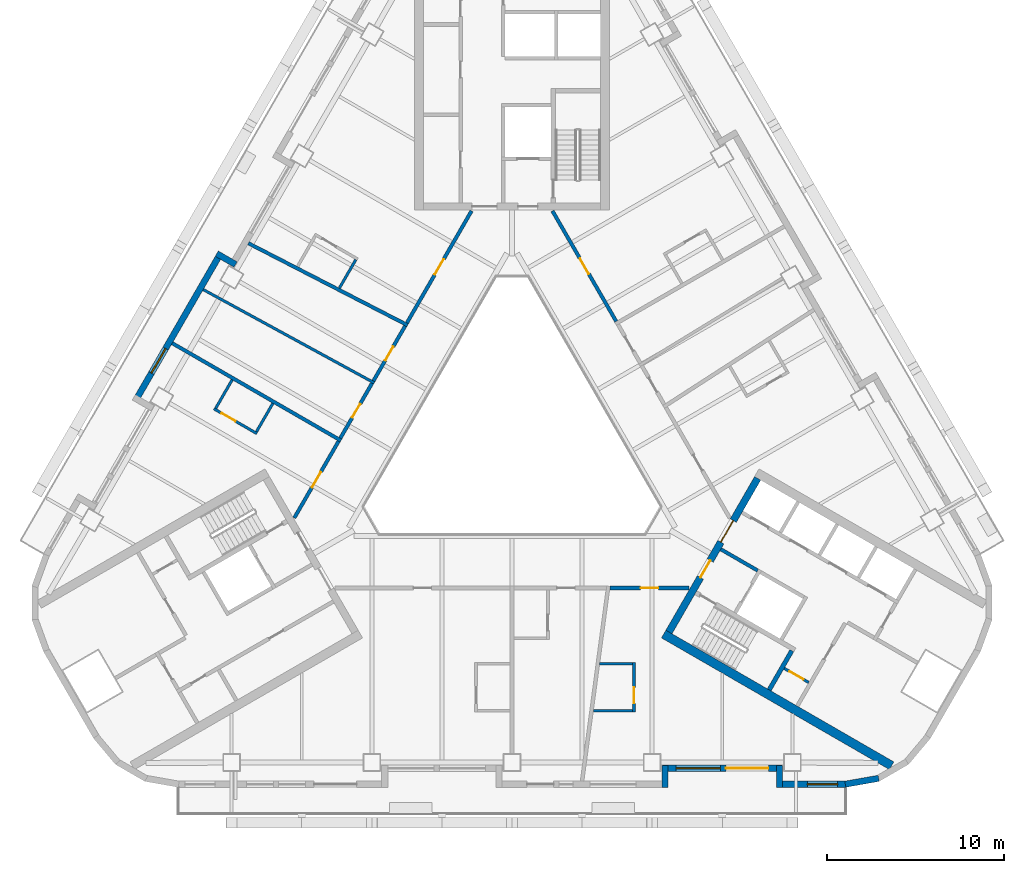
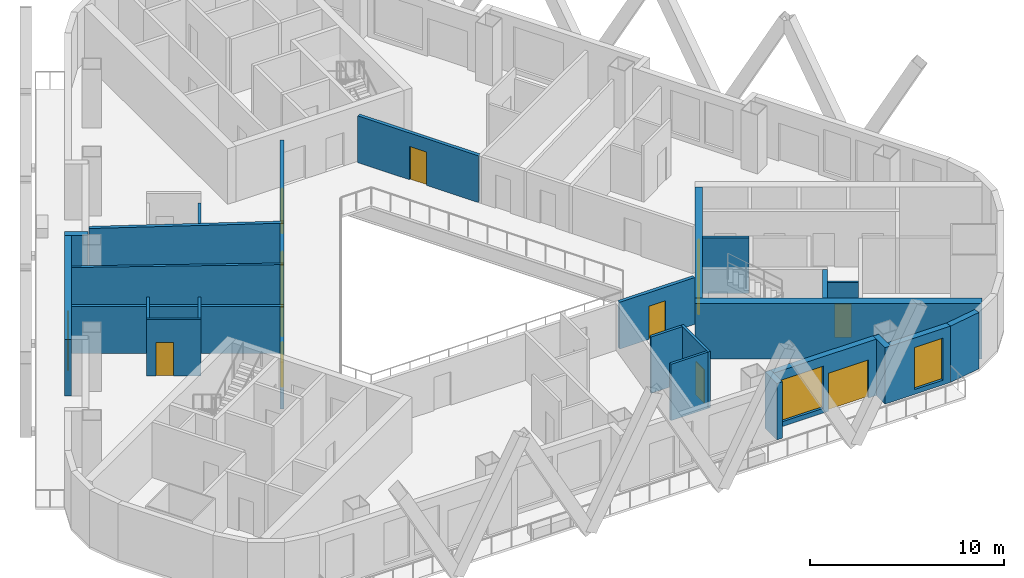
# One storey, part 4 of 13: 28 walls, 12 doors, 3 windows, 15 openings.
"""IFC4 building model written with IfcOpenShell, lengths in metres."""

from ifc_helpers import new_model, si_unit, direction, frame, frame_2d, origin, place, context, subcontext, project, spatial, rectangle, extrude, material, layer, layer_set, type_object, element, fill, save


model = new_model("IFC4")

# Units and contexts
model_context = context("Model", 3, precision=1e-05, world=origin(), true_north=direction((0.0, 1.0)))
body_context = subcontext(model_context, "Body", "Model", "MODEL_VIEW")
ifc_project = project(units=[si_unit("LENGTHUNIT", "METRE"), si_unit("AREAUNIT", "SQUARE_METRE"), si_unit("VOLUMEUNIT", "CUBIC_METRE"), si_unit("PLANEANGLEUNIT", "RADIAN"), si_unit("MASSUNIT", "GRAM", prefix="KILO")], contexts=[model_context])

# Site, building, storey
site_placement = place(None, origin())
site = spatial("IfcSite", under=ifc_project, at=site_placement, CompositionType="ELEMENT")
building_placement = place(site_placement, origin())
building = spatial("IfcBuilding", under=site, at=building_placement, Name="Apuvela Tower Hotel", CompositionType="ELEMENT")
storey_placement = place(building_placement, frame((0.0, 0.0, 68.699951171875)))
storey = spatial("IfcBuildingStorey", under=building, at=storey_placement, Name="L14", CompositionType="ELEMENT", Elevation=68.699951171875)

# Wall, openings, doors
ifc_material_1 = material(Name="Concrete C50/60", Category="concrete")
ifc_layer_1 = layer(ifc_material_1, 0.39990234375)
ifc_layer_set_1 = layer_set([ifc_layer_1], Name="COR-WALL-CORE-400")
wall_type_1 = type_object("IfcWallType", Name="COR-WALL-CORE-400", PredefinedType="SHEAR", material=ifc_layer_set_1)
wall_1_placement = place(storey_placement, frame((8.844970703125, -10.880126953125, 0.0), z_axis=(0.0, 0.0, 1.0), x_axis=(0.500004234368, 0.866022959057, 0.0)))
wall_1 = element("IfcWall", 1, at=wall_1_placement, inside=storey, type_object=wall_type_1, Name="Core wall SE", PredefinedType="SHEAR", context=body_context, shape_type="SweptSolid", body=[
    extrude(rectangle(XDim=10.0, YDim=0.39990234375, at=frame_2d((5.0, 0.0))), origin(), (0.0, 0.0, 1.0), 3.5),
])
opening_1_placement = place(wall_1_placement, frame((3.550048828125, 0.0, 0.0)))
opening_1 = element("IfcOpeningElement", 2, at=opening_1_placement, cuts=wall_1, Name="Opening E-FD", PredefinedType="OPENING", context=body_context, shape_type="SweptSolid", body=[
    extrude(rectangle(XDim=1.10009765625, YDim=2.10009765625, at=frame_2d((0.550048828125, 1.050048828125))), frame((0.0, 0.2099609375, 0.0), z_axis=(0.0, -1.0, 0.0), x_axis=(1.0, 0.0, 0.0)), (0.0, 0.0, 1.0), 0.419921875),
])
opening_2_placement = place(wall_1_placement, frame((5.85009765625, 0.0, 0.0)))
opening_2 = element("IfcOpeningElement", 3, at=opening_2_placement, cuts=wall_1, Name="Opening E-GD", PredefinedType="OPENING", context=body_context, shape_type="SweptSolid", body=[
    extrude(rectangle(XDim=1.39990234375, YDim=2.10009765625, at=frame_2d((0.699951171875, 1.050048828125))), frame((0.0, 0.2099609375, 0.0), z_axis=(0.0, -1.0, 0.0), x_axis=(1.0, 0.0, 0.0)), (0.0, 0.0, 1.0), 0.419921875),
])
ifc_material_2 = material(Name="Steel fire door, powder coated", Category="steel")
door_type_1 = type_object("IfcDoorType", Name="COR-FD-1100", OperationType="NOTDEFINED", PredefinedType="DOOR", material=ifc_material_2)
door_1_placement = place(opening_1_placement, frame((1.10009765625, 0.0, 0.0), z_axis=(0.0, 0.0, 1.0), x_axis=(-1.0, 0.0, 0.0)))
door_1 = element("IfcDoor", 4, at=door_1_placement, inside=storey, type_object=door_type_1, Name="Firefighting lobby door E-FD", OperationType="SINGLE_SWING_LEFT", OverallHeight=2.10009765625, OverallWidth=1.10009765625, PredefinedType="DOOR", context=body_context, shape_type="SweptSolid", body=[
    extrude(rectangle(XDim=1.10009765625, YDim=2.10009765625, at=frame_2d((0.550048828125, 1.050048828125))), frame((0.0, 0.02490234375, 0.0), z_axis=(0.0, -1.0, 0.0), x_axis=(1.0, 0.0, 0.0)), (0.0, 0.0, 1.0), 0.050048828125),
])
fill(opening_1, door_1)
ifc_material_3 = material(Name="Glazed steel fire door", Category="steel")
door_type_2 = type_object("IfcDoorType", Name="COR-GD-1400", OperationType="DOUBLE_DOOR_SINGLE_SWING", PredefinedType="DOOR", material=ifc_material_3)
door_2_placement = place(opening_2_placement, frame((1.39990234375, 0.0, 0.0), z_axis=(0.0, 0.0, 1.0), x_axis=(-1.0, 0.0, 0.0)))
door_2 = element("IfcDoor", 5, at=door_2_placement, inside=storey, type_object=door_type_2, Name="Lift lobby door E-GD", OperationType="DOUBLE_DOOR_SINGLE_SWING", OverallHeight=2.10009765625, OverallWidth=1.39990234375, PredefinedType="DOOR", context=body_context, shape_type="SweptSolid", body=[
    extrude(rectangle(XDim=1.39990234375, YDim=2.10009765625, at=frame_2d((0.699951171875, 1.050048828125))), frame((0.0, 0.02490234375, 0.0), z_axis=(0.0, -1.0, 0.0), x_axis=(1.0, 0.0, 0.0)), (0.0, 0.0, 1.0), 0.050048828125),
])
fill(opening_2, door_2)

# Wall
ifc_layer_2 = layer(ifc_material_1, 0.5)
ifc_layer_set_2 = layer_set([ifc_layer_2], Name="COR-WALL-CORE-500")
wall_type_2 = type_object("IfcWallType", Name="COR-WALL-CORE-500", PredefinedType="SHEAR", material=ifc_layer_set_2)
wall_2_placement = place(storey_placement, frame((8.546630859375, -10.99658203125, 0.0), z_axis=(0.0, 0.0, 1.0), x_axis=(0.866025009528, -0.500000682871, 0.0)))
element("IfcWall", 6, at=wall_2_placement, inside=storey, type_object=wall_type_2, Name="Core wall SE", PredefinedType="SHEAR", context=body_context, shape_type="SweptSolid", body=[
    extrude(rectangle(XDim=14.8369140625, YDim=0.5, at=frame_2d((7.41845703125, 0.0))), origin(), (0.0, 0.0, 1.0), 3.5),
])

# Wall, opening, door
ifc_material_4 = material(Name="Blockwork 150 mm plastered", Category="masonry")
ifc_layer_3 = layer(ifc_material_4, 0.14990234375)
ifc_layer_set_3 = layer_set([ifc_layer_3], Name="COR-WALL-PART-150")
wall_type_3 = type_object("IfcWallType", Name="COR-WALL-PART-150", PredefinedType="PARTITIONING", material=ifc_layer_set_3)
wall_3_placement = place(storey_placement, frame((15.341552734375, -12.927734375, 0.0), z_axis=(0.0, 0.0, 1.0), x_axis=(0.865989903783, -0.500061482766, 0.0)))
wall_3 = element("IfcWall", 7, at=wall_3_placement, inside=storey, type_object=wall_type_3, Name="Partition SE", PredefinedType="PARTITIONING", context=body_context, shape_type="SweptSolid", body=[
    extrude(rectangle(XDim=1.599853515625, YDim=0.14990234375, at=frame_2d((0.7998046875, 0.0))), origin(), (0.0, 0.0, 1.0), 3.5),
])
opening_3_placement = place(wall_3_placement, frame((0.35009765625, 0.0, 0.0)))
opening_3 = element("IfcOpeningElement", 8, at=opening_3_placement, cuts=wall_3, Name="Opening E-RD", PredefinedType="OPENING", context=body_context, shape_type="SweptSolid", body=[
    extrude(rectangle(XDim=0.89990234375, YDim=2.10009765625, at=frame_2d((0.449951171875, 1.050048828125))), frame((0.0, 0.0849609375, 0.0), z_axis=(0.0, -1.0, 0.0), x_axis=(1.0, 0.0, 0.0)), (0.0, 0.0, 1.0), 0.169921875),
])
ifc_material_5 = material(Name="Steel access door, powder coated", Category="steel")
door_type_3 = type_object("IfcDoorType", Name="COR-RD-900", OperationType="NOTDEFINED", PredefinedType="DOOR", material=ifc_material_5)
door_3_placement = place(opening_3_placement, frame((0.89990234375, 0.0, 0.0), z_axis=(0.0, 0.0, 1.0), x_axis=(-1.0, 0.0, 0.0)))
door_3 = element("IfcDoor", 9, at=door_3_placement, inside=storey, type_object=door_type_3, Name="Riser door E-RD", OperationType="SINGLE_SWING_LEFT", OverallHeight=2.10009765625, OverallWidth=0.89990234375, PredefinedType="DOOR", context=body_context, shape_type="SweptSolid", body=[
    extrude(rectangle(XDim=0.89990234375, YDim=2.10009765625, at=frame_2d((0.449951171875, 1.050048828125))), frame((0.0, 0.02490234375, 0.0), z_axis=(0.0, -1.0, 0.0), x_axis=(1.0, 0.0, 0.0)), (0.0, 0.0, 1.0), 0.050048828125),
])
fill(opening_3, door_3)

# Walls
ifc_layer_4 = layer(ifc_material_1, 0.199951171875)
ifc_layer_set_4 = layer_set([ifc_layer_4], Name="COR-WALL-SHAFT-200")
wall_type_4 = type_object("IfcWallType", Name="COR-WALL-SHAFT-200", PredefinedType="SHEAR", material=ifc_layer_set_4)
wall_4_placement = place(storey_placement, frame((11.76806640625, -6.217041015625, 0.0), z_axis=(0.0, 0.0, 1.0), x_axis=(0.866050077142, -0.499957262057, 0.0)))
element("IfcWall", 10, at=wall_4_placement, inside=storey, type_object=wall_type_4, Name="Shaft wall SE", PredefinedType="SHEAR", context=body_context, shape_type="SweptSolid", body=[
    extrude(rectangle(XDim=2.400146484375, YDim=0.199951171875, at=frame_2d((1.2001953125, 0.0))), origin(), (0.0, 0.0, 1.0), 3.5),
])
ifc_layer_5 = layer(ifc_material_1, 0.25)
ifc_layer_set_5 = layer_set([ifc_layer_5], Name="COR-WALL-STAIR-250")
wall_type_5 = type_object("IfcWallType", Name="COR-WALL-STAIR-250", PredefinedType="SHEAR", material=ifc_layer_set_5)
wall_5_placement = place(storey_placement, frame((14.49560546875, -14.142578125, 0.0), z_axis=(0.0, 0.0, 1.0), x_axis=(0.500062241894, 0.865989465428, 0.0)))
element("IfcWall", 11, at=wall_5_placement, inside=storey, type_object=wall_type_5, Name="Stair wall SE", PredefinedType="SHEAR", context=body_context, shape_type="SweptSolid", body=[
    extrude(rectangle(XDim=2.550048828125, YDim=0.25, at=frame_2d((1.27490234375, 0.0))), origin(), (0.0, 0.0, 1.0), 3.5),
])
ifc_material_6 = material(Name="Concrete C40/50, dark pigmented precast panel", Category="concrete")
ifc_layer_6 = layer(ifc_material_6, 0.35009765625)
ifc_layer_set_6 = layer_set([ifc_layer_6], Name="ENV-WALL-350")
wall_type_6 = type_object("IfcWallType", Name="ENV-WALL-350", PredefinedType="SOLIDWALL", material=ifc_layer_set_6)
wall_6_placement = place(storey_placement, frame((-15.580810546875, 9.8330078125, 0.0), z_axis=(0.0, 0.0, 1.0), x_axis=(-0.866055662726, 0.499947586314, 0.0)))
element("IfcWall", 12, at=wall_6_placement, inside=storey, type_object=wall_type_6, Name="External wall L14-04", PredefinedType="SOLIDWALL", context=body_context, shape_type="SweptSolid", body=[
    extrude(rectangle(XDim=1.220458984375, YDim=0.35009765625, at=frame_2d((0.6103515625, 0.0))), origin(), (0.0, 0.0, 1.0), 3.550048828125),
])

# Wall, opening, window
wall_7_placement = place(storey_placement, frame((-16.3984375, 10.507080078125, 0.0), z_axis=(0.0, 0.0, 1.0), x_axis=(-0.499999142773, -0.866025898704, 0.0)))
wall_7 = element("IfcWall", 13, at=wall_7_placement, inside=storey, type_object=wall_type_6, Name="External wall L14-05", PredefinedType="SOLIDWALL", context=body_context, shape_type="SweptSolid", body=[
    extrude(rectangle(XDim=9.7001953125, YDim=0.35009765625, at=frame_2d((4.85009765625, 0.0))), origin(), (0.0, 0.0, 1.0), 3.550048828125),
])
opening_4_placement = place(wall_7_placement, frame((6.25048828125, 0.0, 0.300048828125)))
opening_4 = element("IfcOpeningElement", 14, at=opening_4_placement, cuts=wall_7, Name="Opening WN16", PredefinedType="OPENING", context=body_context, shape_type="SweptSolid", body=[
    extrude(rectangle(XDim=1.60009765625, YDim=2.64990234375, at=frame_2d((0.800048828125, 1.324951171875))), frame((0.0, 0.18505859375, 0.0), z_axis=(0.0, -1.0, 0.0), x_axis=(1.0, 0.0, 0.0)), (0.0, 0.0, 1.0), 0.3701171875),
])
ifc_material_7 = material(Name="Glass, dark tinted laminated insulated glazing unit", Category="glass")
window_type_1 = type_object("IfcWindowType", Name="ENV-WIN-1600x2650", PartitioningType="SINGLE_PANEL", PredefinedType="WINDOW", material=ifc_material_7)
window_1_placement = place(opening_4_placement, origin())
window_1 = element("IfcWindow", 15, at=window_1_placement, inside=storey, type_object=window_type_1, Name="Window WN16", OverallHeight=2.64990234375, OverallWidth=1.60009765625, PartitioningType="SINGLE_PANEL", PredefinedType="WINDOW", context=body_context, shape_type="SweptSolid", body=[
    extrude(rectangle(XDim=1.60009765625, YDim=2.64990234375, at=frame_2d((0.800048828125, 1.324951171875))), frame((0.0, 0.030029296875, 0.0), z_axis=(0.0, -1.0, 0.0), x_axis=(1.0, 0.0, 0.0)), (0.0, 0.0, 1.0), 0.06005859375),
])
fill(opening_4, window_1)

# Wall
wall_8_placement = place(storey_placement, frame((8.625, -19.6298828125, 0.0), z_axis=(0.0, 0.0, 1.0), x_axis=(0.0, 1.0, 0.0)))
element("IfcWall", 16, at=wall_8_placement, inside=storey, type_object=wall_type_6, Name="External wall L14-22", PredefinedType="SOLIDWALL", context=body_context, shape_type="SweptSolid", body=[
    extrude(rectangle(XDim=1.219970703125, YDim=0.35009765625, at=frame_2d((0.60986328125, 0.0))), origin(), (0.0, 0.0, 1.0), 3.550048828125),
])

# Wall, openings, door, window
wall_9_placement = place(storey_placement, frame((8.47998046875, -18.554931640625, 0.0), z_axis=(0.0, 0.0, 1.0), x_axis=(1.0, 0.0, 0.0)))
wall_9 = element("IfcWall", 17, at=wall_9_placement, inside=storey, type_object=wall_type_6, Name="External wall L14-23", PredefinedType="SOLIDWALL", context=body_context, shape_type="SweptSolid", body=[
    extrude(rectangle(XDim=6.739990234375, YDim=0.35009765625, at=frame_2d((3.3701171875, 0.0))), origin(), (0.0, 0.0, 1.0), 3.550048828125),
])
opening_5_placement = place(wall_9_placement, frame((3.570068359375, 0.0, 0.0)))
opening_5 = element("IfcOpeningElement", 18, at=opening_5_placement, cuts=wall_9, Name="Opening BD24", PredefinedType="OPENING", context=body_context, shape_type="SweptSolid", body=[
    extrude(rectangle(XDim=2.39990234375, YDim=2.39990234375, at=frame_2d((1.199951171875, 1.199951171875))), frame((0.0, 0.18505859375, 0.0), z_axis=(0.0, -1.0, 0.0), x_axis=(1.0, 0.0, 0.0)), (0.0, 0.0, 1.0), 0.3701171875),
])
opening_6_placement = place(wall_9_placement, frame((0.77001953125, 0.0, 0.300048828125)))
opening_6 = element("IfcOpeningElement", 19, at=opening_6_placement, cuts=wall_9, Name="Opening WN25", PredefinedType="OPENING", context=body_context, shape_type="SweptSolid", body=[
    extrude(rectangle(XDim=2.5, YDim=2.64990234375, at=frame_2d((1.25, 1.324951171875))), frame((0.0, 0.18505859375, 0.0), z_axis=(0.0, -1.0, 0.0), x_axis=(1.0, 0.0, 0.0)), (0.0, 0.0, 1.0), 0.3701171875),
])
ifc_material_8 = material(Name="Aluminium 6063-T6, dark bronze anodised frame with dark tinted laminated glass", Category="aluminium")
door_type_4 = type_object("IfcDoorType", Name="ENV-DOOR-BALCONY-2400x2400", OperationType="SLIDING_TO_LEFT", PredefinedType="DOOR", material=ifc_material_8)
door_4_placement = place(opening_5_placement, frame((2.39990234375, 0.0, 0.0), z_axis=(0.0, 0.0, 1.0), x_axis=(-1.0, 0.0, 0.0)))
door_4 = element("IfcDoor", 20, at=door_4_placement, inside=storey, type_object=door_type_4, Name="Balcony door BD24", OperationType="SLIDING_TO_LEFT", OverallHeight=2.39990234375, OverallWidth=2.39990234375, PredefinedType="DOOR", context=body_context, shape_type="SweptSolid", body=[
    extrude(rectangle(XDim=2.39990234375, YDim=2.39990234375, at=frame_2d((1.199951171875, 1.199951171875))), frame((0.0, 0.02490234375, 0.0), z_axis=(0.0, -1.0, 0.0), x_axis=(1.0, 0.0, 0.0)), (0.0, 0.0, 1.0), 0.050048828125),
])
fill(opening_5, door_4)
window_type_2 = type_object("IfcWindowType", Name="ENV-WIN-2500x2650", PartitioningType="SINGLE_PANEL", PredefinedType="WINDOW", material=ifc_material_7)
window_2_placement = place(opening_6_placement, origin())
window_2 = element("IfcWindow", 21, at=window_2_placement, inside=storey, type_object=window_type_2, Name="Window WN25", OverallHeight=2.64990234375, OverallWidth=2.5, PartitioningType="SINGLE_PANEL", PredefinedType="WINDOW", context=body_context, shape_type="SweptSolid", body=[
    extrude(rectangle(XDim=2.5, YDim=2.64990234375, at=frame_2d((1.25, 1.324951171875))), frame((0.0, 0.030029296875, 0.0), z_axis=(0.0, -1.0, 0.0), x_axis=(1.0, 0.0, 0.0)), (0.0, 0.0, 1.0), 0.06005859375),
])
fill(opening_6, window_2)

# Wall
wall_10_placement = place(storey_placement, frame((15.074951171875, -18.409912109375, 0.0), z_axis=(0.0, 0.0, 1.0), x_axis=(0.0, -1.0, 0.0)))
element("IfcWall", 22, at=wall_10_placement, inside=storey, type_object=wall_type_6, Name="External wall L14-24", PredefinedType="SOLIDWALL", context=body_context, shape_type="SweptSolid", body=[
    extrude(rectangle(XDim=1.219970703125, YDim=0.35009765625, at=frame_2d((0.60986328125, 0.0))), origin(), (0.0, 0.0, 1.0), 3.550048828125),
])

# Wall, opening, window
wall_11_placement = place(storey_placement, frame((14.89990234375, -19.455078125, 0.0), z_axis=(0.0, 0.0, 1.0), x_axis=(1.0, 0.0, 0.0)))
wall_11 = element("IfcWall", 23, at=wall_11_placement, inside=storey, type_object=wall_type_6, Name="External wall L14-25", PredefinedType="SOLIDWALL", context=body_context, shape_type="SweptSolid", body=[
    extrude(rectangle(XDim=3.916015625, YDim=0.35009765625, at=frame_2d((1.9580078125, 0.0))), origin(), (0.0, 0.0, 1.0), 3.550048828125),
])
opening_7_placement = place(wall_11_placement, frame((1.749755859375, 0.0, 0.300048828125)))
opening_7 = element("IfcOpeningElement", 24, at=opening_7_placement, cuts=wall_11, Name="Opening WN17", PredefinedType="OPENING", context=body_context, shape_type="SweptSolid", body=[
    extrude(rectangle(XDim=1.699951171875, YDim=2.64990234375, at=frame_2d((0.85009765625, 1.324951171875))), frame((0.0, 0.18505859375, 0.0), z_axis=(0.0, -1.0, 0.0), x_axis=(1.0, 0.0, 0.0)), (0.0, 0.0, 1.0), 0.3701171875),
])
window_type_3 = type_object("IfcWindowType", Name="ENV-WIN-1700x2650", PartitioningType="SINGLE_PANEL", PredefinedType="WINDOW", material=ifc_material_7)
window_3_placement = place(opening_7_placement, origin())
window_3 = element("IfcWindow", 25, at=window_3_placement, inside=storey, type_object=window_type_3, Name="Window WN17", OverallHeight=2.64990234375, OverallWidth=1.699951171875, PartitioningType="SINGLE_PANEL", PredefinedType="WINDOW", context=body_context, shape_type="SweptSolid", body=[
    extrude(rectangle(XDim=1.699951171875, YDim=2.64990234375, at=frame_2d((0.85009765625, 1.324951171875))), frame((0.0, 0.030029296875, 0.0), z_axis=(0.0, -1.0, 0.0), x_axis=(1.0, 0.0, 0.0)), (0.0, 0.0, 1.0), 0.06005859375),
])
fill(opening_7, window_3)

# Walls
wall_12_placement = place(storey_placement, frame((18.785400390625, -19.457763671875, 0.0), z_axis=(0.0, 0.0, 1.0), x_axis=(0.984798995425, 0.173697837091, 0.0)))
element("IfcWall", 26, at=wall_12_placement, inside=storey, type_object=wall_type_6, Name="External wall L14-26", PredefinedType="SOLIDWALL", context=body_context, shape_type="SweptSolid", body=[
    extrude(rectangle(XDim=1.91015625, YDim=0.35009765625, at=frame_2d((0.955078125, 0.0))), origin(), (0.0, 0.0, 1.0), 3.550048828125),
])
ifc_material_9 = material(Name="Gypsum board partition on twin steel stud", Category="steel")
ifc_layer_7 = layer(ifc_material_9, 0.199951171875)
ifc_layer_set_7 = layer_set([ifc_layer_7], Name="GST-PW1")
wall_type_7 = type_object("IfcWallType", Name="GST-PW1", PredefinedType="PARTITIONING", material=ifc_layer_set_7)
wall_13_placement = place(storey_placement, frame((-14.855712890625, 11.02880859375, 0.0), z_axis=(0.0, 0.0, 1.0), x_axis=(0.889105841633, -0.457701652142, 0.0)))
element("IfcWall", 27, at=wall_13_placement, inside=storey, type_object=wall_type_7, Name="L14 partition 05", PredefinedType="PARTITIONING", context=body_context, shape_type="SweptSolid", body=[
    extrude(rectangle(XDim=10.091552734375, YDim=0.199951171875, at=frame_2d((5.0458984375, 0.0))), origin(), (0.0, 0.0, 1.0), 2.9599609375),
])
wall_14_placement = place(storey_placement, frame((-19.14697265625, 5.396484375, 0.0), z_axis=(0.0, 0.0, 1.0), x_axis=(0.866027479907, -0.499996404033, 0.0)))
element("IfcWall", 28, at=wall_14_placement, inside=storey, type_object=wall_type_7, Name="L14 partition 06", PredefinedType="PARTITIONING", context=body_context, shape_type="SweptSolid", body=[
    extrude(rectangle(XDim=10.97998046875, YDim=0.199951171875, at=frame_2d((5.489990234375, 0.0))), origin(), (0.0, 0.0, 1.0), 2.9599609375),
])

# Wall, opening, door
ifc_material_10 = material(Name="Gypsum board corridor wall on twin steel stud, acoustic", Category="steel")
ifc_layer_8 = layer(ifc_material_10, 0.199951171875)
ifc_layer_set_8 = layer_set([ifc_layer_8], Name="GST-PW2")
wall_type_8 = type_object("IfcWallType", Name="GST-PW2", PredefinedType="PARTITIONING", material=ifc_layer_set_8)
wall_15_placement = place(storey_placement, frame((9.98828125, -8.39990234375, 0.0), z_axis=(0.0, 0.0, 1.0), x_axis=(-1.0, 0.0, 0.0)))
wall_15 = element("IfcWall", 29, at=wall_15_placement, inside=storey, type_object=wall_type_8, Name="L14 partition 14", PredefinedType="PARTITIONING", context=body_context, shape_type="SweptSolid", body=[
    extrude(rectangle(XDim=4.473876953125, YDim=0.199951171875, at=frame_2d((2.23681640625, 0.0))), origin(), (0.0, 0.0, 1.0), 2.949951171875),
])
opening_8_placement = place(wall_15_placement, frame((1.73681640625, 0.0, 0.0)))
opening_8 = element("IfcOpeningElement", 30, at=opening_8_placement, cuts=wall_15, Name="Opening GD03-06", PredefinedType="OPENING", context=body_context, shape_type="SweptSolid", body=[
    extrude(rectangle(XDim=1.0, YDim=2.10009765625, at=frame_2d((0.5, 1.050048828125))), frame((0.0, 0.10986328125, 0.0), z_axis=(0.0, -1.0, 0.0), x_axis=(1.0, 0.0, 0.0)), (0.0, 0.0, 1.0), 0.219970703125),
])
ifc_material_11 = material(Name="Timber door leaf in steel frame", Category="steel")
door_type_5 = type_object("IfcDoorType", Name="GST-D1", OperationType="NOTDEFINED", PredefinedType="DOOR", material=ifc_material_11)
door_5_placement = place(opening_8_placement, origin())
door_5 = element("IfcDoor", 31, at=door_5_placement, inside=storey, type_object=door_type_5, Name="Door L14-06", OperationType="SINGLE_SWING_RIGHT", OverallHeight=2.10009765625, OverallWidth=1.0, PredefinedType="DOOR", context=body_context, shape_type="SweptSolid", body=[
    extrude(rectangle(XDim=1.0, YDim=2.10009765625, at=frame_2d((0.5, 1.050048828125))), frame((0.0, 0.02490234375, 0.0), z_axis=(0.0, -1.0, 0.0), x_axis=(1.0, 0.0, 0.0)), (0.0, 0.0, 1.0), 0.050048828125),
])
fill(opening_8, door_5)

wall_16_placement = place(storey_placement, frame((2.280517578125, 12.85009765625, 0.0), z_axis=(0.0, 0.0, 1.0), x_axis=(0.499992939664, -0.866029480033, 0.0)))
wall_16 = element("IfcWall", 32, at=wall_16_placement, inside=storey, type_object=wall_type_8, Name="L14 partition 25", PredefinedType="PARTITIONING", context=body_context, shape_type="SweptSolid", body=[
    extrude(rectangle(XDim=7.18798828125, YDim=0.199951171875, at=frame_2d((3.593994140625, 0.0))), origin(), (0.0, 0.0, 1.0), 2.949951171875),
])
opening_9_placement = place(wall_16_placement, frame((3.093994140625, 0.0, 0.0)))
opening_9 = element("IfcOpeningElement", 33, at=opening_9_placement, cuts=wall_16, Name="Opening GD03-12", PredefinedType="OPENING", context=body_context, shape_type="SweptSolid", body=[
    extrude(rectangle(XDim=1.0, YDim=2.10009765625, at=frame_2d((0.5, 1.050048828125))), frame((0.0, 0.10986328125, 0.0), z_axis=(0.0, -1.0, 0.0), x_axis=(1.0, 0.0, 0.0)), (0.0, 0.0, 1.0), 0.219970703125),
])
door_6_placement = place(opening_9_placement, origin())
door_6 = element("IfcDoor", 34, at=door_6_placement, inside=storey, type_object=door_type_5, Name="Door L14-12", OperationType="SINGLE_SWING_RIGHT", OverallHeight=2.10009765625, OverallWidth=1.0, PredefinedType="DOOR", context=body_context, shape_type="SweptSolid", body=[
    extrude(rectangle(XDim=1.0, YDim=2.10009765625, at=frame_2d((0.5, 1.050048828125))), frame((0.0, 0.02490234375, 0.0), z_axis=(0.0, -1.0, 0.0), x_axis=(1.0, 0.0, 0.0)), (0.0, 0.0, 1.0), 0.050048828125),
])
fill(opening_9, door_6)

wall_17_placement = place(storey_placement, frame((-5.922119140625, 6.54248046875, 0.0), z_axis=(0.0, 0.0, 1.0), x_axis=(0.499989401968, 0.866031522475, 0.0)))
wall_17 = element("IfcWall", 35, at=wall_17_placement, inside=storey, type_object=wall_type_8, Name="L14 partition 29", PredefinedType="PARTITIONING", context=body_context, shape_type="SweptSolid", body=[
    extrude(rectangle(XDim=7.283447265625, YDim=0.199951171875, at=frame_2d((3.6416015625, 0.0))), origin(), (0.0, 0.0, 1.0), 2.949951171875),
])
opening_10_placement = place(wall_17_placement, frame((3.1416015625, 0.0, 0.0)))
opening_10 = element("IfcOpeningElement", 36, at=opening_10_placement, cuts=wall_17, Name="Opening GD03-14", PredefinedType="OPENING", context=body_context, shape_type="SweptSolid", body=[
    extrude(rectangle(XDim=1.0, YDim=2.10009765625, at=frame_2d((0.5, 1.050048828125))), frame((0.0, 0.10986328125, 0.0), z_axis=(0.0, -1.0, 0.0), x_axis=(1.0, 0.0, 0.0)), (0.0, 0.0, 1.0), 0.219970703125),
])
door_7_placement = place(opening_10_placement, origin())
door_7 = element("IfcDoor", 37, at=door_7_placement, inside=storey, type_object=door_type_5, Name="Door L14-14", OperationType="SINGLE_SWING_LEFT", OverallHeight=2.10009765625, OverallWidth=1.0, PredefinedType="DOOR", context=body_context, shape_type="SweptSolid", body=[
    extrude(rectangle(XDim=1.0, YDim=2.10009765625, at=frame_2d((0.5, 1.050048828125))), frame((0.0, 0.02490234375, 0.0), z_axis=(0.0, -1.0, 0.0), x_axis=(1.0, 0.0, 0.0)), (0.0, 0.0, 1.0), 0.050048828125),
])
fill(opening_10, door_7)

wall_18_placement = place(storey_placement, frame((-7.810791015625, 3.27099609375, 0.0), z_axis=(0.0, 0.0, 1.0), x_axis=(0.4999705729, 0.866042392862, 0.0)))
wall_18 = element("IfcWall", 38, at=wall_18_placement, inside=storey, type_object=wall_type_8, Name="L14 partition 34", PredefinedType="PARTITIONING", context=body_context, shape_type="SweptSolid", body=[
    extrude(rectangle(XDim=3.577392578125, YDim=0.199951171875, at=frame_2d((1.78857421875, 0.0))), origin(), (0.0, 0.0, 1.0), 2.949951171875),
])
opening_11_placement = place(wall_18_placement, frame((1.338623046875, 0.0, 0.0)))
opening_11 = element("IfcOpeningElement", 39, at=opening_11_placement, cuts=wall_18, Name="Opening GD03-15", PredefinedType="OPENING", context=body_context, shape_type="SweptSolid", body=[
    extrude(rectangle(XDim=0.89990234375, YDim=2.10009765625, at=frame_2d((0.449951171875, 1.050048828125))), frame((0.0, 0.10986328125, 0.0), z_axis=(0.0, -1.0, 0.0), x_axis=(1.0, 0.0, 0.0)), (0.0, 0.0, 1.0), 0.219970703125),
])
door_type_6 = type_object("IfcDoorType", Name="GST-D2", OperationType="NOTDEFINED", PredefinedType="DOOR", material=ifc_material_11)
door_8_placement = place(opening_11_placement, origin())
door_8 = element("IfcDoor", 40, at=door_8_placement, inside=storey, type_object=door_type_6, Name="Door L14-15", OperationType="SINGLE_SWING_LEFT", OverallHeight=2.10009765625, OverallWidth=0.89990234375, PredefinedType="DOOR", context=body_context, shape_type="SweptSolid", body=[
    extrude(rectangle(XDim=0.89990234375, YDim=2.10009765625, at=frame_2d((0.449951171875, 1.050048828125))), frame((0.0, 0.02490234375, 0.0), z_axis=(0.0, -1.0, 0.0), x_axis=(1.0, 0.0, 0.0)), (0.0, 0.0, 1.0), 0.050048828125),
])
fill(opening_11, door_8)

wall_19_placement = place(storey_placement, frame((-9.674560546875, 0.043212890625, 0.0), z_axis=(0.0, 0.0, 1.0), x_axis=(0.500000124603, 0.866025331845, 0.0)))
wall_19 = element("IfcWall", 41, at=wall_19_placement, inside=storey, type_object=wall_type_8, Name="L14 partition 35", PredefinedType="PARTITIONING", context=body_context, shape_type="SweptSolid", body=[
    extrude(rectangle(XDim=3.5771484375, YDim=0.199951171875, at=frame_2d((1.78857421875, 0.0))), origin(), (0.0, 0.0, 1.0), 2.949951171875),
])
opening_12_placement = place(wall_19_placement, frame((1.338623046875, 0.0, 0.0)))
opening_12 = element("IfcOpeningElement", 42, at=opening_12_placement, cuts=wall_19, Name="Opening GD03-16", PredefinedType="OPENING", context=body_context, shape_type="SweptSolid", body=[
    extrude(rectangle(XDim=0.89990234375, YDim=2.10009765625, at=frame_2d((0.449951171875, 1.050048828125))), frame((0.0, 0.10986328125, 0.0), z_axis=(0.0, -1.0, 0.0), x_axis=(1.0, 0.0, 0.0)), (0.0, 0.0, 1.0), 0.219970703125),
])
door_9_placement = place(opening_12_placement, origin())
door_9 = element("IfcDoor", 43, at=door_9_placement, inside=storey, type_object=door_type_6, Name="Door L14-16", OperationType="SINGLE_SWING_RIGHT", OverallHeight=2.10009765625, OverallWidth=0.89990234375, PredefinedType="DOOR", context=body_context, shape_type="SweptSolid", body=[
    extrude(rectangle(XDim=0.89990234375, YDim=2.10009765625, at=frame_2d((0.449951171875, 1.050048828125))), frame((0.0, 0.02490234375, 0.0), z_axis=(0.0, -1.0, 0.0), x_axis=(1.0, 0.0, 0.0)), (0.0, 0.0, 1.0), 0.050048828125),
])
fill(opening_12, door_9)

wall_20_placement = place(storey_placement, frame((-12.268798828125, -4.449951171875, 0.0), z_axis=(0.0, 0.0, 1.0), x_axis=(0.500013374061, 0.866017682129, 0.0)))
wall_20 = element("IfcWall", 44, at=wall_20_placement, inside=storey, type_object=wall_type_8, Name="L14 partition 36", PredefinedType="PARTITIONING", context=body_context, shape_type="SweptSolid", body=[
    extrude(rectangle(XDim=4.988037109375, YDim=0.199951171875, at=frame_2d((2.494140625, 0.0))), origin(), (0.0, 0.0, 1.0), 2.949951171875),
])
opening_13_placement = place(wall_20_placement, frame((1.994140625, 0.0, 0.0)))
opening_13 = element("IfcOpeningElement", 45, at=opening_13_placement, cuts=wall_20, Name="Opening GD03-18", PredefinedType="OPENING", context=body_context, shape_type="SweptSolid", body=[
    extrude(rectangle(XDim=1.0, YDim=2.10009765625, at=frame_2d((0.5, 1.050048828125))), frame((0.0, 0.10986328125, 0.0), z_axis=(0.0, -1.0, 0.0), x_axis=(1.0, 0.0, 0.0)), (0.0, 0.0, 1.0), 0.219970703125),
])
door_10_placement = place(opening_13_placement, origin())
door_10 = element("IfcDoor", 46, at=door_10_placement, inside=storey, type_object=door_type_5, Name="Door L14-18", OperationType="SINGLE_SWING_RIGHT", OverallHeight=2.10009765625, OverallWidth=1.0, PredefinedType="DOOR", context=body_context, shape_type="SweptSolid", body=[
    extrude(rectangle(XDim=1.0, YDim=2.10009765625, at=frame_2d((0.5, 1.050048828125))), frame((0.0, 0.02490234375, 0.0), z_axis=(0.0, -1.0, 0.0), x_axis=(1.0, 0.0, 0.0)), (0.0, 0.0, 1.0), 0.050048828125),
])
fill(opening_13, door_10)

ifc_material_12 = material(Name="Moisture-resistant gypsum board wet wall on steel stud", Category="steel")
ifc_layer_9 = layer(ifc_material_12, 0.14990234375)
ifc_layer_set_9 = layer_set([ifc_layer_9], Name="GST-PW3")
wall_type_9 = type_object("IfcWallType", Name="GST-PW3", PredefinedType="PARTITIONING", material=ifc_layer_set_9)
wall_21_placement = place(storey_placement, frame((6.87451171875, -15.39990234375, 0.0), z_axis=(0.0, 0.0, 1.0), x_axis=(0.0, 1.0, 0.0)))
wall_21 = element("IfcWall", 47, at=wall_21_placement, inside=storey, type_object=wall_type_9, Name="L14 partition 15", PredefinedType="PARTITIONING", context=body_context, shape_type="SweptSolid", body=[
    extrude(rectangle(XDim=2.7998046875, YDim=0.14990234375, at=frame_2d((1.39990234375, 0.0))), origin(), (0.0, 0.0, 1.0), 3.550048828125),
])
opening_14_placement = place(wall_21_placement, frame((0.5, 0.0, 0.0)))
opening_14 = element("IfcOpeningElement", 48, at=opening_14_placement, cuts=wall_21, Name="Opening GD03-05", PredefinedType="OPENING", context=body_context, shape_type="SweptSolid", body=[
    extrude(rectangle(XDim=0.89990234375, YDim=2.10009765625, at=frame_2d((0.449951171875, 1.050048828125))), frame((0.0, 0.0849609375, 0.0), z_axis=(0.0, -1.0, 0.0), x_axis=(1.0, 0.0, 0.0)), (0.0, 0.0, 1.0), 0.169921875),
])
door_11_placement = place(opening_14_placement, origin())
door_11 = element("IfcDoor", 49, at=door_11_placement, inside=storey, type_object=door_type_6, Name="Door L14-05", OperationType="SINGLE_SWING_LEFT", OverallHeight=2.10009765625, OverallWidth=0.89990234375, PredefinedType="DOOR", context=body_context, shape_type="SweptSolid", body=[
    extrude(rectangle(XDim=0.89990234375, YDim=2.10009765625, at=frame_2d((0.449951171875, 1.050048828125))), frame((0.0, 0.02490234375, 0.0), z_axis=(0.0, -1.0, 0.0), x_axis=(1.0, 0.0, 0.0)), (0.0, 0.0, 1.0), 0.050048828125),
])
fill(opening_14, door_11)

# Walls
wall_22_placement = place(storey_placement, frame((4.5830078125, -15.324951171875, 0.0), z_axis=(0.0, 0.0, 1.0), x_axis=(1.0, 0.0, 0.0)))
element("IfcWall", 50, at=wall_22_placement, inside=storey, type_object=wall_type_9, Name="L14 partition 16", PredefinedType="PARTITIONING", context=body_context, shape_type="SweptSolid", body=[
    extrude(rectangle(XDim=2.21630859375, YDim=0.14990234375, at=frame_2d((1.108154296875, 0.0))), origin(), (0.0, 0.0, 1.0), 3.550048828125),
])
wall_23_placement = place(storey_placement, frame((4.939208984375, -12.675048828125, 0.0), z_axis=(0.0, 0.0, 1.0), x_axis=(1.0, 0.0, 0.0)))
element("IfcWall", 51, at=wall_23_placement, inside=storey, type_object=wall_type_9, Name="L14 partition 17", PredefinedType="PARTITIONING", context=body_context, shape_type="SweptSolid", body=[
    extrude(rectangle(XDim=1.860107421875, YDim=0.14990234375, at=frame_2d((0.93017578125, 0.0))), origin(), (0.0, 0.0, 1.0), 3.550048828125),
])
wall_24_placement = place(storey_placement, frame((-8.80078125, 10.106689453125, 0.0), z_axis=(0.0, 0.0, 1.0), x_axis=(-0.499992292652, -0.866029853578, 0.0)))
element("IfcWall", 52, at=wall_24_placement, inside=storey, type_object=wall_type_9, Name="L14 partition 32", PredefinedType="PARTITIONING", context=body_context, shape_type="SweptSolid", body=[
    extrude(rectangle(XDim=1.853515625, YDim=0.14990234375, at=frame_2d((0.9267578125, 0.0))), origin(), (0.0, 0.0, 1.0), 2.949951171875),
])
wall_25_placement = place(storey_placement, frame((-17.402099609375, 8.4189453125, 0.0), z_axis=(0.0, 0.0, 1.0), x_axis=(0.877831004422, -0.47897048727, 0.0)))
element("IfcWall", 53, at=wall_25_placement, inside=storey, type_object=wall_type_9, Name="L14 partition 33", PredefinedType="PARTITIONING", context=body_context, shape_type="SweptSolid", body=[
    extrude(rectangle(XDim=10.9833984375, YDim=0.14990234375, at=frame_2d((5.49169921875, 0.0))), origin(), (0.0, 0.0, 1.0), 2.9599609375),
])

# Wall, opening, door
wall_26_placement = place(storey_placement, frame((-16.79931640625, 1.702880859375, 0.0), z_axis=(0.0, 0.0, 1.0), x_axis=(0.865996816683, -0.500049511043, 0.0)))
wall_26 = element("IfcWall", 54, at=wall_26_placement, inside=storey, type_object=wall_type_9, Name="L14 partition 37", PredefinedType="PARTITIONING", context=body_context, shape_type="SweptSolid", body=[
    extrude(rectangle(XDim=2.800048828125, YDim=0.14990234375, at=frame_2d((1.39990234375, 0.0))), origin(), (0.0, 0.0, 1.0), 3.550048828125),
])
opening_15_placement = place(wall_26_placement, frame((0.5, 0.0, 0.0)))
opening_15 = element("IfcOpeningElement", 55, at=opening_15_placement, cuts=wall_26, Name="Opening GD03-17", PredefinedType="OPENING", context=body_context, shape_type="SweptSolid", body=[
    extrude(rectangle(XDim=0.89990234375, YDim=2.10009765625, at=frame_2d((0.449951171875, 1.050048828125))), frame((0.0, 0.0849609375, 0.0), z_axis=(0.0, -1.0, 0.0), x_axis=(1.0, 0.0, 0.0)), (0.0, 0.0, 1.0), 0.169921875),
])
door_12_placement = place(opening_15_placement, origin())
door_12 = element("IfcDoor", 56, at=door_12_placement, inside=storey, type_object=door_type_6, Name="Door L14-17", OperationType="SINGLE_SWING_LEFT", OverallHeight=2.10009765625, OverallWidth=0.89990234375, PredefinedType="DOOR", context=body_context, shape_type="SweptSolid", body=[
    extrude(rectangle(XDim=0.89990234375, YDim=2.10009765625, at=frame_2d((0.449951171875, 1.050048828125))), frame((0.0, 0.02490234375, 0.0), z_axis=(0.0, -1.0, 0.0), x_axis=(1.0, 0.0, 0.0)), (0.0, 0.0, 1.0), 0.050048828125),
])
fill(opening_15, door_12)

# Walls
wall_27_placement = place(storey_placement, frame((-15.771728515625, 3.33251953125, 0.0), z_axis=(0.0, 0.0, 1.0), x_axis=(-0.499985172903, -0.866033964044, 0.0)))
element("IfcWall", 57, at=wall_27_placement, inside=storey, type_object=wall_type_9, Name="L14 partition 38", PredefinedType="PARTITIONING", context=body_context, shape_type="SweptSolid", body=[
    extrude(rectangle(XDim=1.85009765625, YDim=0.14990234375, at=frame_2d((0.925048828125, 0.0))), origin(), (0.0, 0.0, 1.0), 3.550048828125),
])
wall_28_placement = place(storey_placement, frame((-13.476806640625, 2.00732421875, 0.0), z_axis=(0.0, 0.0, 1.0), x_axis=(-0.500042316284, -0.866000971088, 0.0)))
element("IfcWall", 58, at=wall_28_placement, inside=storey, type_object=wall_type_9, Name="L14 partition 39", PredefinedType="PARTITIONING", context=body_context, shape_type="SweptSolid", body=[
    extrude(rectangle(XDim=1.849853515625, YDim=0.14990234375, at=frame_2d((0.9248046875, 0.0))), origin(), (0.0, 0.0, 1.0), 3.550048828125),
])

save(model, "model.ifc")
